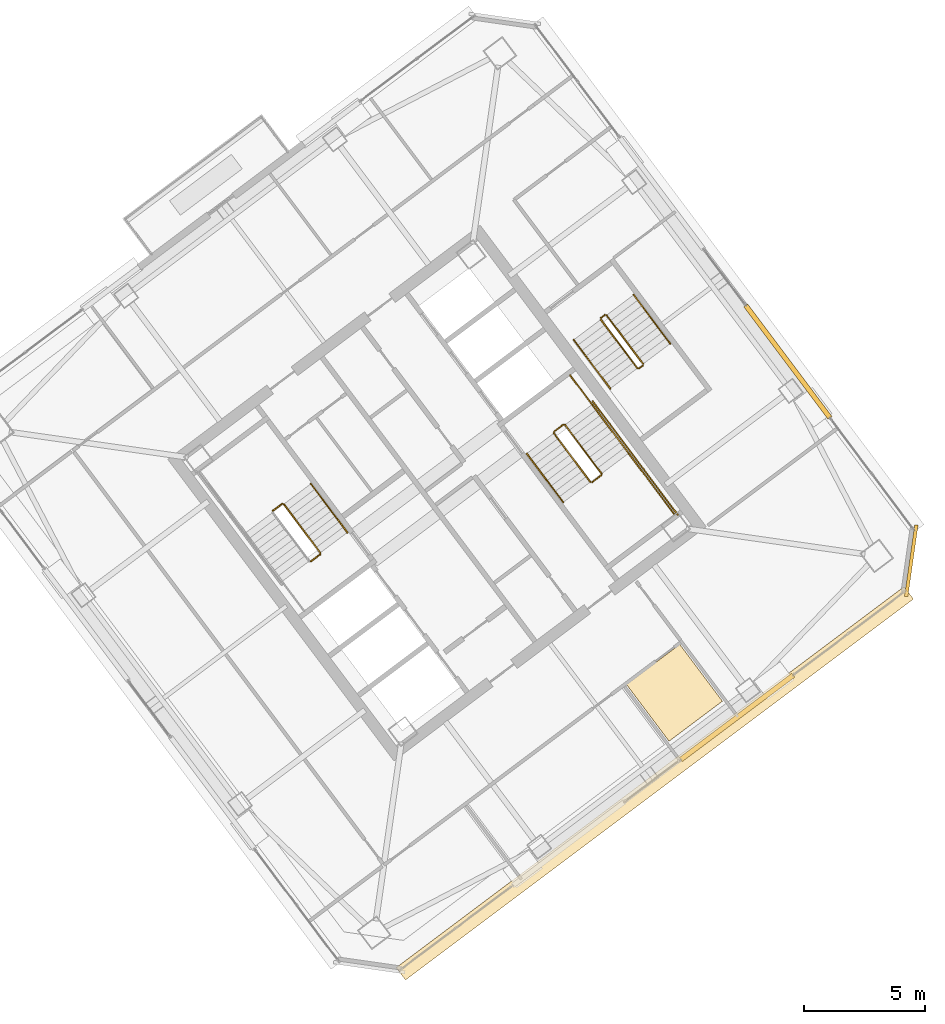
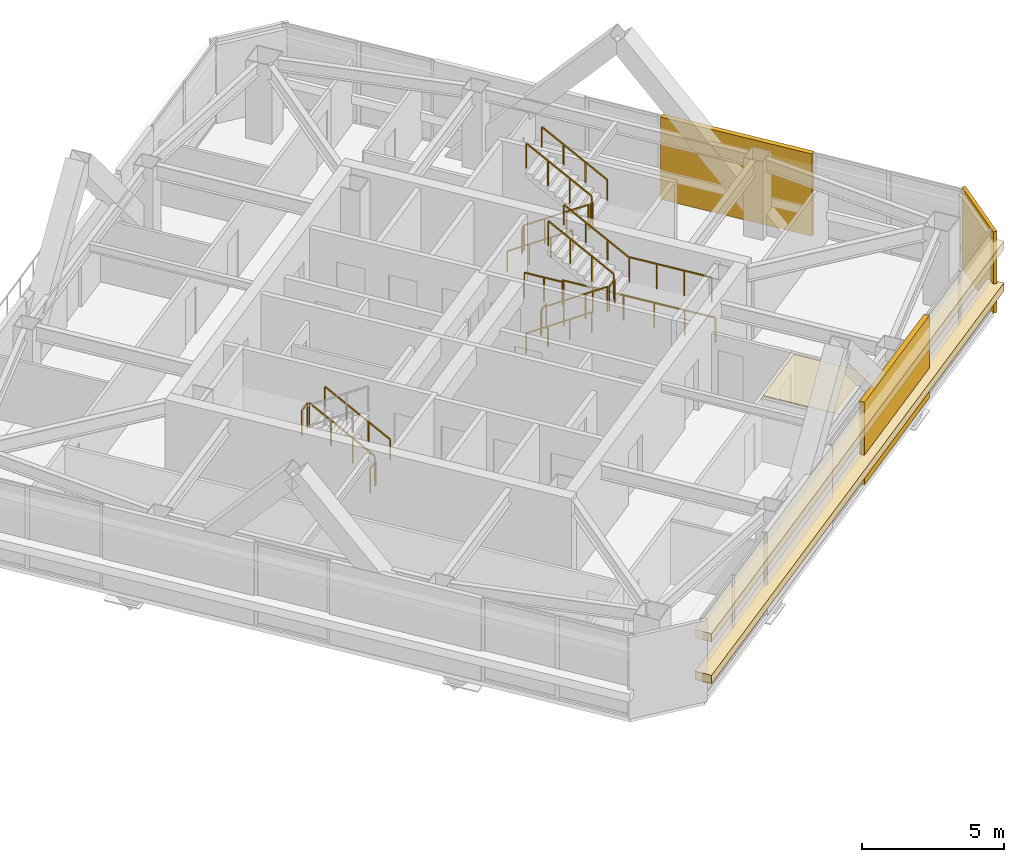
# One storey, part 38 of 39: 19 railings, 6 coverings.
"""IFC4 building model written with IfcOpenShell, lengths in metres."""

from ifc_helpers import new_model, si_unit, direction, frame, origin, origin_2d, place, context, subcontext, project, spatial, polyline, rectangle, outline, extrude, material, layer, layer_set, type_object, element, save


model = new_model("IFC4")

# Units and contexts
model_context = context("Model", 3, precision=1e-05, world=origin(), true_north=direction((0.0, 1.0)))
body_context = subcontext(model_context, "Body", "Model", "MODEL_VIEW")
ifc_project = project(units=[si_unit("LENGTHUNIT", "METRE"), si_unit("AREAUNIT", "SQUARE_METRE"), si_unit("VOLUMEUNIT", "CUBIC_METRE"), si_unit("PLANEANGLEUNIT", "RADIAN"), si_unit("MASSUNIT", "GRAM", prefix="KILO")], contexts=[model_context])

# Site, building, storey
site_placement = place(None, origin())
site = spatial("IfcSite", under=ifc_project, at=site_placement, CompositionType="ELEMENT")
building_placement = place(site_placement, origin())
building = spatial("IfcBuilding", under=site, at=building_placement, Name="Tashvorn Skyway Center", CompositionType="ELEMENT")
storey_placement = place(building_placement, frame((0.0, 0.0, 239.699951171875)))
storey = spatial("IfcBuildingStorey", under=building, at=storey_placement, Name="L65", CompositionType="ELEMENT", Elevation=239.699951171875)

# Coverings
ifc_material_1 = material(Name="Precast concrete C40/50", Category="concrete")
ifc_layer_1 = layer(ifc_material_1, 0.199951171875)
ifc_layer_set_1 = layer_set([ifc_layer_1], Name="Precast concrete C40/50")
covering_type_1 = type_object("IfcCoveringType", Name="COV-BRACE-CLAD", PredefinedType="CLADDING", material=ifc_layer_set_1)
for number, where, z_axis, x_axis, name in (
    (1, (126.416015625, 22.7119140625, 0.0), (0.0, 0.0, 1.0), (-0.799999996291, -0.600000004945, 0.0), "Tower 2 L65 South Unitised Curtain Wall Mega-Brace Cladding Band 1"),
    (2, (128.52001953125, 37.43994140625, 0.0), (0.0, 0.0, 1.0), (0.600000004945, -0.799999996291, 0.0), "Tower 2 L65 East Unitised Curtain Wall Mega-Brace Cladding Band 2"),
):
    element("IfcCovering", number, at=place(storey_placement, frame(where, z_axis=z_axis, x_axis=x_axis)), inside=storey, type_object=covering_type_1, Name=name, PredefinedType="CLADDING", context=body_context, shape_type="SweptSolid", body=[
        extrude(rectangle(XDim=5.813232421875, YDim=0.199951171875, at=origin_2d()), origin(), (0.0, 0.0, 1.0), 3.550048828125),
    ])
ifc_material_2 = material(Name="Mineral-fibre acoustic ceiling tile on suspended grid")
ifc_layer_2 = layer(ifc_material_2, 0.02001953125)
ifc_layer_set_2 = layer_set([ifc_layer_2], Name="Mineral-fibre acoustic ceiling tile on suspended grid")
covering_type_2 = type_object("IfcCoveringType", Name="COV-CEIL-20", PredefinedType="CEILING", material=ifc_layer_set_2)
covering_1_placement = place(storey_placement, frame((0.0, 0.0, 2.703125)))
element("IfcCovering", 3, at=covering_1_placement, inside=storey, type_object=covering_type_2, Name="Tower 2 L65 Reading Lounge Acoustic Ceiling", PredefinedType="CEILING", context=body_context, shape_type="SweptSolid", body=[
    extrude(outline(polyline([(121.840087890625, 24.080078125), (124.048095703125, 25.736083984375), (125.81201171875, 23.384033203125), (123.60400390625, 21.72802734375), (121.840087890625, 24.080078125)])), origin(), (0.0, 0.0, 1.0), 0.02001953125),
])
ifc_material_3 = material(Name="Perforated ceramic-coated bronze aluminium solar screen", Category="aluminium")
ifc_layer_3 = layer(ifc_material_3, 0.85009765625)
ifc_layer_set_3 = layer_set([ifc_layer_3], Name="Perforated ceramic-coated bronze aluminium solar screen")
covering_type_3 = type_object("IfcCoveringType", Name="COV-SOLAR-BAND", PredefinedType="CLADDING", material=ifc_layer_set_3)
for number, where, z_axis, x_axis, name in (
    (4, (123.011962890625, 19.98388671875, 0.919921875), (0.0, 0.0, 1.0), (-0.799999996291, -0.600000004945, 0.0), "L65 Perforated Ceramic-Metal Solar Screen Louvre Band South 1"),
    (5, (123.011962890625, 19.98388671875, 2.72021484375), (0.0, 0.0, 1.0), (-0.799999996291, -0.600000004945, 0.0), "L65 Perforated Ceramic-Metal Solar Screen Louvre Band South 2"),
):
    element("IfcCovering", number, at=place(storey_placement, frame(where, z_axis=z_axis, x_axis=x_axis)), inside=storey, type_object=covering_type_3, Name=name, PredefinedType="CLADDING", context=body_context, shape_type="SweptSolid", body=[
        extrude(rectangle(XDim=26.280029296875, YDim=0.639892578125, at=origin_2d()), origin(), (0.0, 0.0, 1.0), 0.360107421875),
    ])
ifc_layer_4 = layer(ifc_material_1, 0.35009765625)
ifc_layer_set_4 = layer_set([ifc_layer_4], Name="Precast concrete C40/50")
covering_type_4 = type_object("IfcCoveringType", Name="COV-STONE-TRIM", PredefinedType="CLADDING", material=ifc_layer_set_4)
covering_2_placement = place(storey_placement, frame((133.6279296875, 29.196044921875, 0.02001953125), z_axis=(0.0, 0.0, 1.0), x_axis=(0.141421350118, 0.989949494535, 0.0)))
element("IfcCovering", 6, at=covering_2_placement, inside=storey, type_object=covering_type_4, Name="Tower 2 L65 SE Mojave Limestone Corner Quoin", PredefinedType="CLADDING", context=body_context, shape_type="SweptSolid", body=[
    extrude(rectangle(XDim=2.98828125, YDim=0.139892578125, at=origin_2d()), origin(), (0.0, 0.0, 1.0), 3.510009765625),
])

# Railings
ifc_material_4 = material(Name="Brushed stainless steel 316", Category="steel")
railing_type_1 = type_object("IfcRailingType", Name="RAIL-HAND-920", PredefinedType="HANDRAIL", material=ifc_material_4)
railing_1_placement = place(storey_placement, frame((110.2880859375, 30.365966796875, 0.177490234375)))
element("IfcRailing", 7, at=railing_1_placement, inside=storey, type_object=railing_type_1, Name="L65 ST-T2-1 stair handrail 1", PredefinedType="HANDRAIL", context=body_context, shape_type="SweptSolid", body=[
    extrude(rectangle(XDim=0.048095703125, YDim=0.048095703125, at=origin_2d()), frame((0.0, 0.0, 0.8759765625), z_axis=(-0.506779409603, 0.675651334276, 0.53541563714), x_axis=(-0.799976749893, -0.600030998891, 0.0)), (0.0, 0.0, 1.0), 2.98388671875),
    extrude(rectangle(XDim=0.0419921875, YDim=0.0419921875, at=origin_2d()), origin(), (0.0, 0.0, 1.0), 0.851806640625),
    extrude(rectangle(XDim=0.0419921875, YDim=0.0419921875, at=origin_2d()), frame((-0.504150390625, 0.672119140625, 0.532470703125)), (0.0, 0.0, 1.0), 0.851806640625),
    extrude(rectangle(XDim=0.0419921875, YDim=0.0419921875, at=origin_2d()), frame((-1.008056640625, 1.343994140625, 1.065185546875)), (0.0, 0.0, 1.0), 0.851806640625),
    extrude(rectangle(XDim=0.0419921875, YDim=0.0419921875, at=origin_2d()), frame((-1.51220703125, 2.01611328125, 1.59765625)), (0.0, 0.0, 1.0), 0.851806640625),
])
railing_2_placement = place(storey_placement, frame((117.7119140625, 33.634033203125, 0.177490234375)))
element("IfcRailing", 8, at=railing_2_placement, inside=storey, type_object=railing_type_1, Name="L65 ST-T2-2 stair handrail 1", PredefinedType="HANDRAIL", context=body_context, shape_type="SweptSolid", body=[
    extrude(rectangle(XDim=0.048095703125, YDim=0.048095703125, at=origin_2d()), frame((0.0, 0.0, 0.8759765625), z_axis=(0.506779409603, -0.675651334276, 0.53541563714), x_axis=(0.799976749893, 0.600030998891, 0.0)), (0.0, 0.0, 1.0), 2.98388671875),
    extrude(rectangle(XDim=0.0419921875, YDim=0.0419921875, at=origin_2d()), origin(), (0.0, 0.0, 1.0), 0.851806640625),
    extrude(rectangle(XDim=0.0419921875, YDim=0.0419921875, at=origin_2d()), frame((0.504150390625, -0.672119140625, 0.532470703125)), (0.0, 0.0, 1.0), 0.851806640625),
    extrude(rectangle(XDim=0.0419921875, YDim=0.0419921875, at=origin_2d()), frame((1.008056640625, -1.343994140625, 1.065185546875)), (0.0, 0.0, 1.0), 0.851806640625),
    extrude(rectangle(XDim=0.0419921875, YDim=0.0419921875, at=origin_2d()), frame((1.51220703125, -2.01611328125, 1.59765625)), (0.0, 0.0, 1.0), 0.851806640625),
])
railing_3_placement = place(storey_placement, frame((121.927978515625, 33.64599609375, 1.95263671875)))
element("IfcRailing", 9, at=railing_3_placement, inside=storey, type_object=railing_type_1, Name="L65 ST-T2-2 stair handrail 2", PredefinedType="HANDRAIL", context=body_context, shape_type="SweptSolid", body=[
    extrude(rectangle(XDim=0.048095703125, YDim=0.048095703125, at=origin_2d()), frame((0.0, 0.0, 0.8759765625), z_axis=(-0.506740800098, 0.675708949977, 0.535379469569), x_axis=(-0.800023250257, -0.599968998406, 0.0)), (0.0, 0.0, 1.0), 2.983642578125),
    extrude(rectangle(XDim=0.0419921875, YDim=0.0419921875, at=origin_2d()), origin(), (0.0, 0.0, 1.0), 0.851806640625),
    extrude(rectangle(XDim=0.0419921875, YDim=0.0419921875, at=origin_2d()), frame((-0.50390625, 0.672119140625, 0.532470703125)), (0.0, 0.0, 1.0), 0.851806640625),
    extrude(rectangle(XDim=0.0419921875, YDim=0.0419921875, at=origin_2d()), frame((-1.008056640625, 1.343994140625, 1.06494140625)), (0.0, 0.0, 1.0), 0.851806640625),
    extrude(rectangle(XDim=0.0419921875, YDim=0.0419921875, at=origin_2d()), frame((-1.511962890625, 2.01611328125, 1.597412109375)), (0.0, 0.0, 1.0), 0.851806640625),
])
railing_4_placement = place(storey_placement, frame((119.656005859375, 38.342041015625, 0.177490234375)))
element("IfcRailing", 10, at=railing_4_placement, inside=storey, type_object=railing_type_1, Name="L65 ST-T2-3 stair handrail 1", PredefinedType="HANDRAIL", context=body_context, shape_type="SweptSolid", body=[
    extrude(rectangle(XDim=0.048095703125, YDim=0.048095703125, at=origin_2d()), frame((0.0, 0.0, 0.8759765625), z_axis=(0.506718600913, -0.675679348675, 0.535437836974), x_axis=(0.800023250257, 0.599968998406, 0.0)), (0.0, 0.0, 1.0), 2.98388671875),
    extrude(rectangle(XDim=0.0419921875, YDim=0.0419921875, at=origin_2d()), origin(), (0.0, 0.0, 1.0), 0.851806640625),
    extrude(rectangle(XDim=0.0419921875, YDim=0.0419921875, at=origin_2d()), frame((0.50390625, -0.672119140625, 0.532470703125)), (0.0, 0.0, 1.0), 0.851806640625),
    extrude(rectangle(XDim=0.0419921875, YDim=0.0419921875, at=origin_2d()), frame((1.008056640625, -1.343994140625, 1.065185546875)), (0.0, 0.0, 1.0), 0.851806640625),
    extrude(rectangle(XDim=0.0419921875, YDim=0.0419921875, at=origin_2d()), frame((1.511962890625, -2.01611328125, 1.59765625)), (0.0, 0.0, 1.0), 0.851806640625),
])
railing_5_placement = place(storey_placement, frame((123.64794921875, 38.18603515625, 1.95263671875)))
element("IfcRailing", 11, at=railing_5_placement, inside=storey, type_object=railing_type_1, Name="L65 ST-T2-3 stair handrail 2", PredefinedType="HANDRAIL", context=body_context, shape_type="SweptSolid", body=[
    extrude(rectangle(XDim=0.048095703125, YDim=0.048095703125, at=origin_2d()), frame((0.0, 0.0, 0.8759765625), z_axis=(-0.506768818287, 0.675664481285, 0.535409071218), x_axis=(-0.79998837352, -0.60001550166, 0.0)), (0.0, 0.0, 1.0), 2.983642578125),
    extrude(rectangle(XDim=0.0419921875, YDim=0.0419921875, at=origin_2d()), origin(), (0.0, 0.0, 1.0), 0.851806640625),
    extrude(rectangle(XDim=0.0419921875, YDim=0.0419921875, at=origin_2d()), frame((-0.50390625, 0.671875, 0.532470703125)), (0.0, 0.0, 1.0), 0.851806640625),
    extrude(rectangle(XDim=0.0419921875, YDim=0.0419921875, at=origin_2d()), frame((-1.008056640625, 1.343994140625, 1.06494140625)), (0.0, 0.0, 1.0), 0.851806640625),
    extrude(rectangle(XDim=0.0419921875, YDim=0.0419921875, at=origin_2d()), frame((-1.511962890625, 2.015869140625, 1.597412109375)), (0.0, 0.0, 1.0), 0.851806640625),
])
ifc_material_5 = material(Name="Painted galvanized steel S355", Category="steel")
railing_type_2 = type_object("IfcRailingType", Name="RAIL-STGUARD-1100", PredefinedType="GUARDRAIL", material=ifc_material_5)
railing_6_placement = place(storey_placement, frame((109.16796875, 29.52587890625, 0.177490234375)))
element("IfcRailing", 12, at=railing_6_placement, inside=storey, type_object=railing_type_2, Name="L65 ST-T2-1 stair guard 1", PredefinedType="GUARDRAIL", context=body_context, shape_type="SweptSolid", body=[
    extrude(rectangle(XDim=0.048095703125, YDim=0.048095703125, at=origin_2d()), frame((0.0, 0.0, 1.076171875), z_axis=(-0.506718600913, 0.675679348675, 0.535437836974), x_axis=(-0.800023250257, -0.599968998406, 0.0)), (0.0, 0.0, 1.0), 2.98388671875),
    extrude(rectangle(XDim=0.0419921875, YDim=0.0419921875, at=origin_2d()), origin(), (0.0, 0.0, 1.0), 1.052001953125),
    extrude(rectangle(XDim=0.0419921875, YDim=0.0419921875, at=origin_2d()), frame((-0.50390625, 0.672119140625, 0.532470703125)), (0.0, 0.0, 1.0), 1.052001953125),
    extrude(rectangle(XDim=0.0419921875, YDim=0.0419921875, at=origin_2d()), frame((-1.008056640625, 1.343994140625, 1.065185546875)), (0.0, 0.0, 1.0), 1.052001953125),
    extrude(rectangle(XDim=0.0419921875, YDim=0.0419921875, at=origin_2d()), frame((-1.511962890625, 2.01611328125, 1.59765625)), (0.0, 0.0, 1.0), 1.052001953125),
])
for number, where, name in (
    (13, (107.5859375, 31.552001953125, 1.775146484375), "L65 ST-T2-1 stair guard 2"),
    (14, (109.157958984375, 29.4560546875, 0.0), "L65 ST-T2-1 stair guard 5"),
):
    element("IfcRailing", number, at=place(storey_placement, frame(where)), inside=storey, type_object=railing_type_2, Name=name, PredefinedType="GUARDRAIL", context=body_context, shape_type="SweptSolid", body=[
        extrude(rectangle(XDim=0.048095703125, YDim=0.048095703125, at=origin_2d()), frame((0.0, 0.0, 1.076171875), z_axis=(-0.799938970639, -0.600081363861, 0.0), x_axis=(0.600081363861, -0.799938970639, 0.0)), (0.0, 0.0, 1.0), 0.47998046875),
        extrude(rectangle(XDim=0.0419921875, YDim=0.0419921875, at=origin_2d()), origin(), (0.0, 0.0, 1.0), 1.052001953125),
        extrude(rectangle(XDim=0.0419921875, YDim=0.0419921875, at=origin_2d()), frame((-0.384033203125, -0.2880859375, 0.0)), (0.0, 0.0, 1.0), 1.052001953125),
    ])
railing_7_placement = place(storey_placement, frame((118.83203125, 34.47412109375, 0.177490234375)))
element("IfcRailing", 15, at=railing_7_placement, inside=storey, type_object=railing_type_2, Name="L65 ST-T2-2 stair guard 1", PredefinedType="GUARDRAIL", context=body_context, shape_type="SweptSolid", body=[
    extrude(rectangle(XDim=0.048095703125, YDim=0.048095703125, at=origin_2d()), frame((0.0, 0.0, 1.076171875), z_axis=(0.506718600913, -0.675679348675, 0.535437836974), x_axis=(0.800023250257, 0.599968998406, 0.0)), (0.0, 0.0, 1.0), 2.98388671875),
    extrude(rectangle(XDim=0.0419921875, YDim=0.0419921875, at=origin_2d()), origin(), (0.0, 0.0, 1.0), 1.052001953125),
    extrude(rectangle(XDim=0.0419921875, YDim=0.0419921875, at=origin_2d()), frame((0.50390625, -0.672119140625, 0.532470703125)), (0.0, 0.0, 1.0), 1.052001953125),
    extrude(rectangle(XDim=0.0419921875, YDim=0.0419921875, at=origin_2d()), frame((1.008056640625, -1.343994140625, 1.065185546875)), (0.0, 0.0, 1.0), 1.052001953125),
    extrude(rectangle(XDim=0.0419921875, YDim=0.0419921875, at=origin_2d()), frame((1.511962890625, -2.01611328125, 1.59765625)), (0.0, 0.0, 1.0), 1.052001953125),
])
railing_8_placement = place(storey_placement, frame((120.4140625, 32.447998046875, 1.775146484375)))
element("IfcRailing", 16, at=railing_8_placement, inside=storey, type_object=railing_type_2, Name="L65 ST-T2-2 stair guard 2", PredefinedType="GUARDRAIL", context=body_context, shape_type="SweptSolid", body=[
    extrude(rectangle(XDim=0.048095703125, YDim=0.048095703125, at=origin_2d()), frame((0.0, 0.0, 1.076171875), z_axis=(0.799938970639, 0.600081363861, 0.0), x_axis=(-0.600081363861, 0.799938970639, 0.0)), (0.0, 0.0, 1.0), 0.47998046875),
    extrude(rectangle(XDim=0.0419921875, YDim=0.0419921875, at=origin_2d()), origin(), (0.0, 0.0, 1.0), 1.052001953125),
    extrude(rectangle(XDim=0.0419921875, YDim=0.0419921875, at=origin_2d()), frame((0.384033203125, 0.2880859375, 0.0)), (0.0, 0.0, 1.0), 1.052001953125),
])
railing_9_placement = place(storey_placement, frame((121.927978515625, 33.64599609375, 1.775146484375)))
element("IfcRailing", 17, at=railing_9_placement, inside=storey, type_object=railing_type_2, Name="L65 ST-T2-2 stair guard 3", PredefinedType="GUARDRAIL", context=body_context, shape_type="SweptSolid", body=[
    extrude(rectangle(XDim=0.048095703125, YDim=0.048095703125, at=origin_2d()), frame((0.0, 0.0, 1.076171875), z_axis=(0.599987638607, -0.800009270896, 0.0), x_axis=(0.800009270896, 0.599987638607, 0.0)), (0.0, 0.0, 1.0), 3.16015625),
    extrude(rectangle(XDim=0.0419921875, YDim=0.0419921875, at=origin_2d()), origin(), (0.0, 0.0, 1.0), 1.052001953125),
    extrude(rectangle(XDim=0.0419921875, YDim=0.0419921875, at=origin_2d()), frame((0.632080078125, -0.8427734375, 0.0)), (0.0, 0.0, 1.0), 1.052001953125),
    extrude(rectangle(XDim=0.0419921875, YDim=0.0419921875, at=origin_2d()), frame((1.263916015625, -1.685302734375, 0.0)), (0.0, 0.0, 1.0), 1.052001953125),
    extrude(rectangle(XDim=0.0419921875, YDim=0.0419921875, at=origin_2d()), frame((1.89599609375, -2.528076171875, 0.0)), (0.0, 0.0, 1.0), 1.052001953125),
])
railing_10_placement = place(storey_placement, frame((120.80810546875, 32.805908203125, 1.95263671875)))
element("IfcRailing", 18, at=railing_10_placement, inside=storey, type_object=railing_type_2, Name="L65 ST-T2-2 stair guard 4", PredefinedType="GUARDRAIL", context=body_context, shape_type="SweptSolid", body=[
    extrude(rectangle(XDim=0.048095703125, YDim=0.048095703125, at=origin_2d()), frame((0.0, 0.0, 1.076171875), z_axis=(-0.506801609611, 0.675680931896, 0.535357270211), x_axis=(-0.799976749893, -0.600030998891, 0.0)), (0.0, 0.0, 1.0), 2.98388671875),
    extrude(rectangle(XDim=0.0419921875, YDim=0.0419921875, at=origin_2d()), origin(), (0.0, 0.0, 1.0), 1.052001953125),
    extrude(rectangle(XDim=0.0419921875, YDim=0.0419921875, at=origin_2d()), frame((-0.504150390625, 0.672119140625, 0.532470703125)), (0.0, 0.0, 1.0), 1.052001953125),
    extrude(rectangle(XDim=0.0419921875, YDim=0.0419921875, at=origin_2d()), frame((-1.008056640625, 1.343994140625, 1.06494140625)), (0.0, 0.0, 1.0), 1.052001953125),
    extrude(rectangle(XDim=0.0419921875, YDim=0.0419921875, at=origin_2d()), frame((-1.51220703125, 2.01611328125, 1.597412109375)), (0.0, 0.0, 1.0), 1.052001953125),
])
railing_11_placement = place(storey_placement, frame((118.842041015625, 34.5439453125, 0.0)))
element("IfcRailing", 19, at=railing_11_placement, inside=storey, type_object=railing_type_2, Name="L65 ST-T2-2 stair guard 5", PredefinedType="GUARDRAIL", context=body_context, shape_type="SweptSolid", body=[
    extrude(rectangle(XDim=0.048095703125, YDim=0.048095703125, at=origin_2d()), frame((0.0, 0.0, 1.076171875), z_axis=(0.799938970639, 0.600081363861, 0.0), x_axis=(-0.600081363861, 0.799938970639, 0.0)), (0.0, 0.0, 1.0), 0.47998046875),
    extrude(rectangle(XDim=0.0419921875, YDim=0.0419921875, at=origin_2d()), origin(), (0.0, 0.0, 1.0), 1.052001953125),
    extrude(rectangle(XDim=0.0419921875, YDim=0.0419921875, at=origin_2d()), frame((0.384033203125, 0.2880859375, 0.0)), (0.0, 0.0, 1.0), 1.052001953125),
])
railing_12_placement = place(storey_placement, frame((119.50390625, 36.8779296875, 0.0)))
element("IfcRailing", 20, at=railing_12_placement, inside=storey, type_object=railing_type_2, Name="L65 ST-T2-2 stair guard 6", PredefinedType="GUARDRAIL", context=body_context, shape_type="SweptSolid", body=[
    extrude(rectangle(XDim=0.048095703125, YDim=0.048095703125, at=origin_2d()), frame((0.0, 0.0, 1.076171875), z_axis=(0.600102796382, -0.799922892393, 0.0), x_axis=(0.799922892393, 0.600102796382, 0.0)), (0.0, 0.0, 1.0), 1.52001953125),
    extrude(rectangle(XDim=0.0419921875, YDim=0.0419921875, at=origin_2d()), origin(), (0.0, 0.0, 1.0), 1.052001953125),
    extrude(rectangle(XDim=0.0419921875, YDim=0.0419921875, at=origin_2d()), frame((0.4560546875, -0.60791015625, 0.0)), (0.0, 0.0, 1.0), 1.052001953125),
    extrude(rectangle(XDim=0.0419921875, YDim=0.0419921875, at=origin_2d()), frame((0.912109375, -1.2158203125, 0.0)), (0.0, 0.0, 1.0), 1.052001953125),
])
railing_13_placement = place(storey_placement, frame((120.43603515625, 35.802001953125, 0.0)))
element("IfcRailing", 21, at=railing_13_placement, inside=storey, type_object=railing_type_2, Name="L65 ST-T2-2 stair guard 7", PredefinedType="GUARDRAIL", context=body_context, shape_type="SweptSolid", body=[
    extrude(rectangle(XDim=0.048095703125, YDim=0.048095703125, at=origin_2d()), frame((0.0, 0.0, 1.076171875), z_axis=(0.6, -0.8, 0.0), x_axis=(0.8, 0.6, 0.0)), (0.0, 0.0, 1.0), 5.880126953125),
    extrude(rectangle(XDim=0.0419921875, YDim=0.0419921875, at=origin_2d()), origin(), (0.0, 0.0, 1.0), 1.052001953125),
    extrude(rectangle(XDim=0.0419921875, YDim=0.0419921875, at=origin_2d()), frame((0.70556640625, -0.94091796875, 0.0)), (0.0, 0.0, 1.0), 1.052001953125),
    extrude(rectangle(XDim=0.0419921875, YDim=0.0419921875, at=origin_2d()), frame((1.4111328125, -1.881591796875, 0.0)), (0.0, 0.0, 1.0), 1.052001953125),
    extrude(rectangle(XDim=0.0419921875, YDim=0.0419921875, at=origin_2d()), frame((2.116943359375, -2.822509765625, 0.0)), (0.0, 0.0, 1.0), 1.052001953125),
    extrude(rectangle(XDim=0.0419921875, YDim=0.0419921875, at=origin_2d()), frame((2.822509765625, -3.76318359375, 0.0)), (0.0, 0.0, 1.0), 1.052001953125),
    extrude(rectangle(XDim=0.0419921875, YDim=0.0419921875, at=origin_2d()), frame((3.528076171875, -4.7041015625, 0.0)), (0.0, 0.0, 1.0), 1.052001953125),
])
railing_14_placement = place(storey_placement, frame((120.77587890625, 39.181884765625, 0.177490234375)))
element("IfcRailing", 22, at=railing_14_placement, inside=storey, type_object=railing_type_2, Name="L65 ST-T2-3 stair guard 1", PredefinedType="GUARDRAIL", context=body_context, shape_type="SweptSolid", body=[
    extrude(rectangle(XDim=0.048095703125, YDim=0.048095703125, at=origin_2d()), frame((0.0, 0.0, 1.076171875), z_axis=(0.506807425148, -0.675606863004, 0.535445235739), x_axis=(0.799941867976, 0.600077501544, 0.0)), (0.0, 0.0, 1.0), 2.98388671875),
    extrude(rectangle(XDim=0.0419921875, YDim=0.0419921875, at=origin_2d()), origin(), (0.0, 0.0, 1.0), 1.052001953125),
    extrude(rectangle(XDim=0.0419921875, YDim=0.0419921875, at=origin_2d()), frame((0.504150390625, -0.671875, 0.532470703125)), (0.0, 0.0, 1.0), 1.052001953125),
    extrude(rectangle(XDim=0.0419921875, YDim=0.0419921875, at=origin_2d()), frame((1.008056640625, -1.343994140625, 1.065185546875)), (0.0, 0.0, 1.0), 1.052001953125),
    extrude(rectangle(XDim=0.0419921875, YDim=0.0419921875, at=origin_2d()), frame((1.51220703125, -2.015869140625, 1.59765625)), (0.0, 0.0, 1.0), 1.052001953125),
])
railing_15_placement = place(storey_placement, frame((122.35791015625, 37.156005859375, 1.775146484375)))
element("IfcRailing", 23, at=railing_15_placement, inside=storey, type_object=railing_type_2, Name="L65 ST-T2-3 stair guard 2", PredefinedType="GUARDRAIL", context=body_context, shape_type="SweptSolid", body=[
    extrude(rectangle(XDim=0.048095703125, YDim=0.048095703125, at=origin_2d()), frame((0.0, 0.0, 1.076171875), z_axis=(0.800585412921, 0.599218655098, 0.0), x_axis=(-0.599218655098, 0.800585412921, 0.0)), (0.0, 0.0, 1.0), 0.199951171875),
    extrude(rectangle(XDim=0.0419921875, YDim=0.0419921875, at=origin_2d()), origin(), (0.0, 0.0, 1.0), 1.052001953125),
    extrude(rectangle(XDim=0.0419921875, YDim=0.0419921875, at=origin_2d()), frame((0.16015625, 0.119873046875, 0.0)), (0.0, 0.0, 1.0), 1.052001953125),
])
railing_16_placement = place(storey_placement, frame((122.528076171875, 37.345947265625, 1.95263671875)))
element("IfcRailing", 24, at=railing_16_placement, inside=storey, type_object=railing_type_2, Name="L65 ST-T2-3 stair guard 3", PredefinedType="GUARDRAIL", context=body_context, shape_type="SweptSolid", body=[
    extrude(rectangle(XDim=0.048095703125, YDim=0.048095703125, at=origin_2d()), frame((0.0, 0.0, 1.076171875), z_axis=(-0.506740800098, 0.675708949977, 0.535379469569), x_axis=(-0.800023250257, -0.599968998406, 0.0)), (0.0, 0.0, 1.0), 2.983642578125),
    extrude(rectangle(XDim=0.0419921875, YDim=0.0419921875, at=origin_2d()), origin(), (0.0, 0.0, 1.0), 1.052001953125),
    extrude(rectangle(XDim=0.0419921875, YDim=0.0419921875, at=origin_2d()), frame((-0.50390625, 0.672119140625, 0.532470703125)), (0.0, 0.0, 1.0), 1.052001953125),
    extrude(rectangle(XDim=0.0419921875, YDim=0.0419921875, at=origin_2d()), frame((-1.008056640625, 1.343994140625, 1.06494140625)), (0.0, 0.0, 1.0), 1.052001953125),
    extrude(rectangle(XDim=0.0419921875, YDim=0.0419921875, at=origin_2d()), frame((-1.511962890625, 2.01611328125, 1.597412109375)), (0.0, 0.0, 1.0), 1.052001953125),
])
railing_17_placement = place(storey_placement, frame((120.785888671875, 39.251953125, 0.0)))
element("IfcRailing", 25, at=railing_17_placement, inside=storey, type_object=railing_type_2, Name="L65 ST-T2-3 stair guard 4", PredefinedType="GUARDRAIL", context=body_context, shape_type="SweptSolid", body=[
    extrude(rectangle(XDim=0.048095703125, YDim=0.048095703125, at=origin_2d()), frame((0.0, 0.0, 1.076171875), z_axis=(0.8, 0.6, 0.0), x_axis=(-0.6, 0.8, 0.0)), (0.0, 0.0, 1.0), 0.2001953125),
    extrude(rectangle(XDim=0.0419921875, YDim=0.0419921875, at=origin_2d()), origin(), (0.0, 0.0, 1.0), 1.052001953125),
    extrude(rectangle(XDim=0.0419921875, YDim=0.0419921875, at=origin_2d()), frame((0.16015625, 0.1201171875, 0.0)), (0.0, 0.0, 1.0), 1.052001953125),
])

save(model, "model.ifc")
